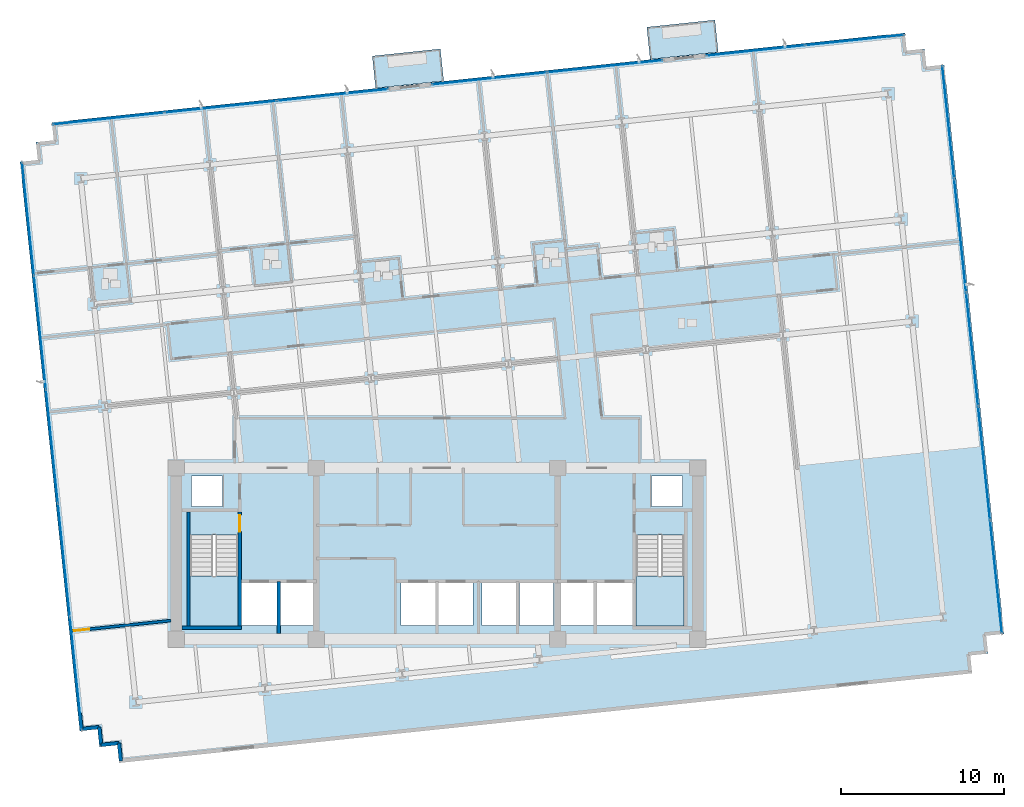
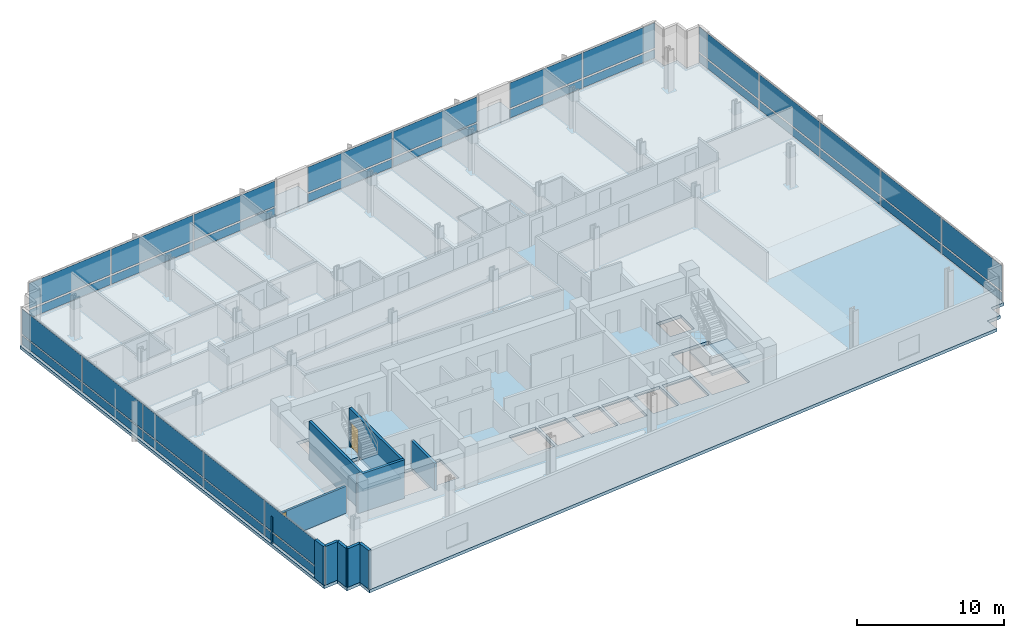
# One storey, part 9 of 18: 34 plates, 10 walls, 5 slabs, 2 doors, 2 openings, 7 elements without a shape of their own.
"""IFC4 building model written with IfcOpenShell, lengths in metres."""

from ifc_helpers import new_model, si_unit, direction, frame, frame_2d, origin, origin_2d, place, context, subcontext, project, spatial, polyline, rectangle, outline, extrude, material, layer, layer_set, type_object, element, fill, aggregate, save


model = new_model("IFC4")

# Units and contexts
model_context = context("Model", 3, precision=1e-05, world=origin(), true_north=direction((0.0, 1.0)))
body_context = subcontext(model_context, "Body", "Model", "MODEL_VIEW")
ifc_project = project(units=[si_unit("LENGTHUNIT", "METRE"), si_unit("AREAUNIT", "SQUARE_METRE"), si_unit("VOLUMEUNIT", "CUBIC_METRE"), si_unit("PLANEANGLEUNIT", "RADIAN"), si_unit("MASSUNIT", "GRAM", prefix="KILO")], contexts=[model_context])

# Site, building, storey
site_placement = place(None, origin())
site = spatial("IfcSite", under=ifc_project, at=site_placement, CompositionType="ELEMENT")
building_placement = place(site_placement, origin())
building = spatial("IfcBuilding", under=site, at=building_placement, Name="Solmavex Isthmus Hotel", CompositionType="ELEMENT")
storey_placement = place(building_placement, frame((0.0, 0.0, 120.14990234375)))
storey = spatial("IfcBuildingStorey", under=building, at=storey_placement, Name="L32", CompositionType="ELEMENT", Elevation=120.14990234375)

# Curtain wall, plates
ifc_material_1 = material(Name="Aluminium alloy 6063-T6", Category="aluminium")
curtain_wall_type = type_object("IfcCurtainWallType", Name="CW-SYS-03", PredefinedType="NOTDEFINED", material=ifc_material_1)
curtain_wall_1_placement = place(storey_placement, origin())
curtain_wall_1 = element("IfcCurtainWall", 1, at=curtain_wall_1_placement, inside=storey, type_object=curtain_wall_type, Name="Stick Curtain Wall CWL-L32-N1", PredefinedType="NOTDEFINED")
ifc_material_2 = material(Name="Clear low-E laminated glass", Category="glass")
ifc_layer_1 = layer(ifc_material_2, 0.030029296875)
ifc_layer_set_1 = layer_set([ifc_layer_1], Name="Clear low-E laminated glass")
plate_type = type_object("IfcPlateType", Name="CW-SYS-03-PNL", PredefinedType="CURTAIN_PANEL", material=ifc_layer_set_1)
plate_1_placement = place(storey_placement, frame((-20.148193359375, 18.93701171875, 0.14013671875), z_axis=(0.0, 0.0, 1.0), x_axis=(0.994521910366, 0.10452832057, 0.0)))
plate_1 = element("IfcPlate", 2, at=plate_1_placement, type_object=plate_type, Name="CW-03 panel 1.1", PredefinedType="CURTAIN_PANEL", context=body_context, shape_type="SweptSolid", body=[
    extrude(rectangle(XDim=6.8173828125, YDim=0.030029296875, at=origin_2d()), origin(), (0.0, 0.0, 1.0), 0.68994140625),
])
plate_2_placement = place(storey_placement, frame((-20.148193359375, 18.93701171875, 0.969970703125), z_axis=(0.0, 0.0, 1.0), x_axis=(0.994521910366, 0.10452832057, 0.0)))
plate_2 = element("IfcPlate", 3, at=plate_2_placement, type_object=plate_type, Name="CW-03 panel 1.2", PredefinedType="CURTAIN_PANEL", context=body_context, shape_type="SweptSolid", body=[
    extrude(rectangle(XDim=6.8173828125, YDim=0.030029296875, at=origin_2d()), origin(), (0.0, 0.0, 1.0), 2.080078125),
])
plate_3_placement = place(storey_placement, frame((-13.28125, 19.65869140625, 0.14013671875), z_axis=(0.0, 0.0, 1.0), x_axis=(0.994521910366, 0.10452832057, 0.0)))
plate_3 = element("IfcPlate", 4, at=plate_3_placement, type_object=plate_type, Name="CW-03 panel 2.1", PredefinedType="CURTAIN_PANEL", context=body_context, shape_type="SweptSolid", body=[
    extrude(rectangle(XDim=6.852294921875, YDim=0.030029296875, at=origin_2d()), origin(), (0.0, 0.0, 1.0), 0.68994140625),
])
plate_4_placement = place(storey_placement, frame((-13.28125, 19.65869140625, 0.969970703125), z_axis=(0.0, 0.0, 1.0), x_axis=(0.994521910366, 0.10452832057, 0.0)))
plate_4 = element("IfcPlate", 5, at=plate_4_placement, type_object=plate_type, Name="CW-03 panel 2.2", PredefinedType="CURTAIN_PANEL", context=body_context, shape_type="SweptSolid", body=[
    extrude(rectangle(XDim=6.852294921875, YDim=0.030029296875, at=origin_2d()), origin(), (0.0, 0.0, 1.0), 2.080078125),
])
plate_5_placement = place(storey_placement, frame((-6.414306640625, 20.38037109375, 0.14013671875), z_axis=(0.0, 0.0, 1.0), x_axis=(0.994521910366, 0.10452832057, 0.0)))
plate_5 = element("IfcPlate", 6, at=plate_5_placement, type_object=plate_type, Name="CW-03 panel 3.1", PredefinedType="CURTAIN_PANEL", context=body_context, shape_type="SweptSolid", body=[
    extrude(rectangle(XDim=6.8173828125, YDim=0.030029296875, at=origin_2d()), origin(), (0.0, 0.0, 1.0), 0.68994140625),
])
plate_6_placement = place(storey_placement, frame((-6.414306640625, 20.38037109375, 0.969970703125), z_axis=(0.0, 0.0, 1.0), x_axis=(0.994521910366, 0.10452832057, 0.0)))
plate_6 = element("IfcPlate", 7, at=plate_6_placement, type_object=plate_type, Name="CW-03 panel 3.2", PredefinedType="CURTAIN_PANEL", context=body_context, shape_type="SweptSolid", body=[
    extrude(rectangle(XDim=6.8173828125, YDim=0.030029296875, at=origin_2d()), origin(), (0.0, 0.0, 1.0), 2.080078125),
])
aggregate(curtain_wall_1, [plate_1, plate_2, plate_3, plate_4, plate_5, plate_6])

curtain_wall_2_placement = place(storey_placement, origin())
curtain_wall_2 = element("IfcCurtainWall", 8, at=curtain_wall_2_placement, inside=storey, type_object=curtain_wall_type, Name="Stick Curtain Wall CWL-L32-N2", PredefinedType="NOTDEFINED")
plate_7_placement = place(storey_placement, frame((3.2119140625, 21.392333984375, 0.14013671875), z_axis=(0.0, 0.0, 1.0), x_axis=(0.994521838546, 0.10452900389, 0.0)))
plate_7 = element("IfcPlate", 9, at=plate_7_placement, type_object=plate_type, Name="CW-03 panel 1.1", PredefinedType="CURTAIN_PANEL", context=body_context, shape_type="SweptSolid", body=[
    extrude(rectangle(XDim=7.06103515625, YDim=0.030029296875, at=origin_2d()), origin(), (0.0, 0.0, 1.0), 0.68994140625),
])
plate_8_placement = place(storey_placement, frame((3.2119140625, 21.392333984375, 0.969970703125), z_axis=(0.0, 0.0, 1.0), x_axis=(0.994521838546, 0.10452900389, 0.0)))
plate_8 = element("IfcPlate", 10, at=plate_8_placement, type_object=plate_type, Name="CW-03 panel 1.2", PredefinedType="CURTAIN_PANEL", context=body_context, shape_type="SweptSolid", body=[
    extrude(rectangle(XDim=7.06103515625, YDim=0.030029296875, at=origin_2d()), origin(), (0.0, 0.0, 1.0), 2.080078125),
])
plate_9_placement = place(storey_placement, frame((10.303955078125, 22.1376953125, 0.14013671875), z_axis=(0.0, 0.0, 1.0), x_axis=(0.994521838546, 0.10452900389, 0.0)))
plate_9 = element("IfcPlate", 11, at=plate_9_placement, type_object=plate_type, Name="CW-03 panel 2.1", PredefinedType="CURTAIN_PANEL", context=body_context, shape_type="SweptSolid", body=[
    extrude(rectangle(XDim=7.06103515625, YDim=0.030029296875, at=origin_2d()), origin(), (0.0, 0.0, 1.0), 0.68994140625),
])
plate_10_placement = place(storey_placement, frame((10.303955078125, 22.1376953125, 0.969970703125), z_axis=(0.0, 0.0, 1.0), x_axis=(0.994521838546, 0.10452900389, 0.0)))
plate_10 = element("IfcPlate", 12, at=plate_10_placement, type_object=plate_type, Name="CW-03 panel 2.2", PredefinedType="CURTAIN_PANEL", context=body_context, shape_type="SweptSolid", body=[
    extrude(rectangle(XDim=7.06103515625, YDim=0.030029296875, at=origin_2d()), origin(), (0.0, 0.0, 1.0), 2.080078125),
])
aggregate(curtain_wall_2, [plate_7, plate_8, plate_9, plate_10])

curtain_wall_3_placement = place(storey_placement, origin())
curtain_wall_3 = element("IfcCurtainWall", 13, at=curtain_wall_3_placement, inside=storey, type_object=curtain_wall_type, Name="Stick Curtain Wall CWL-L32-N3", PredefinedType="NOTDEFINED")
plate_11_placement = place(storey_placement, frame((19.546142578125, 23.109130859375, 0.14013671875), z_axis=(0.0, 0.0, 1.0), x_axis=(0.994521931062, 0.104528123665, 0.0)))
plate_11 = element("IfcPlate", 14, at=plate_11_placement, type_object=plate_type, Name="CW-03 panel 1.1", PredefinedType="CURTAIN_PANEL", context=body_context, shape_type="SweptSolid", body=[
    extrude(rectangle(XDim=6.04541015625, YDim=0.030029296875, at=origin_2d()), origin(), (0.0, 0.0, 1.0), 0.68994140625),
])
plate_12_placement = place(storey_placement, frame((19.546142578125, 23.109130859375, 0.969970703125), z_axis=(0.0, 0.0, 1.0), x_axis=(0.994521931062, 0.104528123665, 0.0)))
plate_12 = element("IfcPlate", 15, at=plate_12_placement, type_object=plate_type, Name="CW-03 panel 1.2", PredefinedType="CURTAIN_PANEL", context=body_context, shape_type="SweptSolid", body=[
    extrude(rectangle(XDim=6.04541015625, YDim=0.030029296875, at=origin_2d()), origin(), (0.0, 0.0, 1.0), 2.080078125),
])
plate_13_placement = place(storey_placement, frame((25.628173828125, 23.748291015625, 0.14013671875), z_axis=(0.0, 0.0, 1.0), x_axis=(0.994521931062, 0.104528123665, 0.0)))
plate_13 = element("IfcPlate", 16, at=plate_13_placement, type_object=plate_type, Name="CW-03 panel 2.1", PredefinedType="CURTAIN_PANEL", context=body_context, shape_type="SweptSolid", body=[
    extrude(rectangle(XDim=6.04541015625, YDim=0.030029296875, at=origin_2d()), origin(), (0.0, 0.0, 1.0), 0.68994140625),
])
plate_14_placement = place(storey_placement, frame((25.628173828125, 23.748291015625, 0.969970703125), z_axis=(0.0, 0.0, 1.0), x_axis=(0.994521931062, 0.104528123665, 0.0)))
plate_14 = element("IfcPlate", 17, at=plate_14_placement, type_object=plate_type, Name="CW-03 panel 2.2", PredefinedType="CURTAIN_PANEL", context=body_context, shape_type="SweptSolid", body=[
    extrude(rectangle(XDim=6.04541015625, YDim=0.030029296875, at=origin_2d()), origin(), (0.0, 0.0, 1.0), 2.080078125),
])
aggregate(curtain_wall_3, [plate_11, plate_12, plate_13, plate_14])

curtain_wall_4_placement = place(storey_placement, origin())
curtain_wall_4 = element("IfcCurtainWall", 18, at=curtain_wall_4_placement, inside=storey, type_object=curtain_wall_type, Name="Stick Curtain Wall CWL-L32-W1", PredefinedType="NOTDEFINED")
plate_15_placement = place(storey_placement, frame((-22.15869140625, -15.1123046875, 0.14013671875), z_axis=(0.0, 0.0, 1.0), x_axis=(-0.104528485381, 0.994521893044, 0.0)))
plate_15 = element("IfcPlate", 19, at=plate_15_placement, type_object=plate_type, Name="CW-03 panel 1.1", PredefinedType="CURTAIN_PANEL", context=body_context, shape_type="SweptSolid", body=[
    extrude(rectangle(XDim=6.9150390625, YDim=0.030029296875, at=origin_2d()), origin(), (0.0, 0.0, 1.0), 0.68994140625),
])
plate_16_placement = place(storey_placement, frame((-22.15869140625, -15.1123046875, 0.969970703125), z_axis=(0.0, 0.0, 1.0), x_axis=(-0.104528485381, 0.994521893044, 0.0)))
plate_16 = element("IfcPlate", 20, at=plate_16_placement, type_object=plate_type, Name="CW-03 panel 1.2", PredefinedType="CURTAIN_PANEL", context=body_context, shape_type="SweptSolid", body=[
    extrude(rectangle(XDim=6.9150390625, YDim=0.030029296875, at=origin_2d()), origin(), (0.0, 0.0, 1.0), 2.080078125),
])
plate_17_placement = place(storey_placement, frame((-22.890625, -8.14794921875, 0.14013671875), z_axis=(0.0, 0.0, 1.0), x_axis=(-0.104528485381, 0.994521893044, 0.0)))
plate_17 = element("IfcPlate", 21, at=plate_17_placement, type_object=plate_type, Name="CW-03 panel 2.1", PredefinedType="CURTAIN_PANEL", context=body_context, shape_type="SweptSolid", body=[
    extrude(rectangle(XDim=6.949951171875, YDim=0.030029296875, at=origin_2d()), origin(), (0.0, 0.0, 1.0), 0.68994140625),
])
plate_18_placement = place(storey_placement, frame((-22.890625, -8.14794921875, 0.969970703125), z_axis=(0.0, 0.0, 1.0), x_axis=(-0.104528485381, 0.994521893044, 0.0)))
plate_18 = element("IfcPlate", 22, at=plate_18_placement, type_object=plate_type, Name="CW-03 panel 2.2", PredefinedType="CURTAIN_PANEL", context=body_context, shape_type="SweptSolid", body=[
    extrude(rectangle(XDim=6.949951171875, YDim=0.030029296875, at=origin_2d()), origin(), (0.0, 0.0, 1.0), 2.080078125),
])
plate_19_placement = place(storey_placement, frame((-23.62451171875, -1.16650390625, 0.14013671875), z_axis=(0.0, 0.0, 1.0), x_axis=(-0.104528485381, 0.994521893044, 0.0)))
plate_19 = element("IfcPlate", 23, at=plate_19_placement, type_object=plate_type, Name="CW-03 panel 3.1", PredefinedType="CURTAIN_PANEL", context=body_context, shape_type="SweptSolid", body=[
    extrude(rectangle(XDim=6.949951171875, YDim=0.030029296875, at=origin_2d()), origin(), (0.0, 0.0, 1.0), 0.68994140625),
])
plate_20_placement = place(storey_placement, frame((-23.62451171875, -1.16650390625, 0.969970703125), z_axis=(0.0, 0.0, 1.0), x_axis=(-0.104528485381, 0.994521893044, 0.0)))
plate_20 = element("IfcPlate", 24, at=plate_20_placement, type_object=plate_type, Name="CW-03 panel 3.2", PredefinedType="CURTAIN_PANEL", context=body_context, shape_type="SweptSolid", body=[
    extrude(rectangle(XDim=6.949951171875, YDim=0.030029296875, at=origin_2d()), origin(), (0.0, 0.0, 1.0), 2.080078125),
])
plate_21_placement = place(storey_placement, frame((-24.3583984375, 5.81494140625, 0.14013671875), z_axis=(0.0, 0.0, 1.0), x_axis=(-0.104528485381, 0.994521893044, 0.0)))
plate_21 = element("IfcPlate", 25, at=plate_21_placement, type_object=plate_type, Name="CW-03 panel 4.1", PredefinedType="CURTAIN_PANEL", context=body_context, shape_type="SweptSolid", body=[
    extrude(rectangle(XDim=6.949951171875, YDim=0.030029296875, at=origin_2d()), origin(), (0.0, 0.0, 1.0), 0.68994140625),
])
plate_22_placement = place(storey_placement, frame((-24.3583984375, 5.81494140625, 0.969970703125), z_axis=(0.0, 0.0, 1.0), x_axis=(-0.104528485381, 0.994521893044, 0.0)))
plate_22 = element("IfcPlate", 26, at=plate_22_placement, type_object=plate_type, Name="CW-03 panel 4.2", PredefinedType="CURTAIN_PANEL", context=body_context, shape_type="SweptSolid", body=[
    extrude(rectangle(XDim=6.949951171875, YDim=0.030029296875, at=origin_2d()), origin(), (0.0, 0.0, 1.0), 2.080078125),
])
plate_23_placement = place(storey_placement, frame((-25.09033203125, 12.779052734375, 0.14013671875), z_axis=(0.0, 0.0, 1.0), x_axis=(-0.104528485381, 0.994521893044, 0.0)))
plate_23 = element("IfcPlate", 27, at=plate_23_placement, type_object=plate_type, Name="CW-03 panel 5.1", PredefinedType="CURTAIN_PANEL", context=body_context, shape_type="SweptSolid", body=[
    extrude(rectangle(XDim=6.9150390625, YDim=0.030029296875, at=origin_2d()), origin(), (0.0, 0.0, 1.0), 0.68994140625),
])
plate_24_placement = place(storey_placement, frame((-25.09033203125, 12.779052734375, 0.969970703125), z_axis=(0.0, 0.0, 1.0), x_axis=(-0.104528485381, 0.994521893044, 0.0)))
plate_24 = element("IfcPlate", 28, at=plate_24_placement, type_object=plate_type, Name="CW-03 panel 5.2", PredefinedType="CURTAIN_PANEL", context=body_context, shape_type="SweptSolid", body=[
    extrude(rectangle(XDim=6.9150390625, YDim=0.030029296875, at=origin_2d()), origin(), (0.0, 0.0, 1.0), 2.080078125),
])
aggregate(curtain_wall_4, [plate_15, plate_16, plate_17, plate_18, plate_19, plate_20, plate_21, plate_22, plate_23, plate_24])

curtain_wall_5_placement = place(storey_placement, origin())
curtain_wall_5 = element("IfcCurtainWall", 29, at=curtain_wall_5_placement, inside=storey, type_object=curtain_wall_type, Name="Stick Curtain Wall CWL-L32-E1", PredefinedType="NOTDEFINED")
plate_25_placement = place(storey_placement, frame((34.290283203125, -9.17919921875, 0.14013671875), z_axis=(0.0, 0.0, 1.0), x_axis=(-0.104528485381, 0.994521893044, 0.0)))
plate_25 = element("IfcPlate", 30, at=plate_25_placement, type_object=plate_type, Name="CW-03 panel 1.1", PredefinedType="CURTAIN_PANEL", context=body_context, shape_type="SweptSolid", body=[
    extrude(rectangle(XDim=6.9150390625, YDim=0.030029296875, at=origin_2d()), origin(), (0.0, 0.0, 1.0), 0.68994140625),
])
plate_26_placement = place(storey_placement, frame((34.290283203125, -9.17919921875, 0.969970703125), z_axis=(0.0, 0.0, 1.0), x_axis=(-0.104528485381, 0.994521893044, 0.0)))
plate_26 = element("IfcPlate", 31, at=plate_26_placement, type_object=plate_type, Name="CW-03 panel 1.2", PredefinedType="CURTAIN_PANEL", context=body_context, shape_type="SweptSolid", body=[
    extrude(rectangle(XDim=6.9150390625, YDim=0.030029296875, at=origin_2d()), origin(), (0.0, 0.0, 1.0), 2.080078125),
])
plate_27_placement = place(storey_placement, frame((33.558349609375, -2.215087890625, 0.14013671875), z_axis=(0.0, 0.0, 1.0), x_axis=(-0.104528485381, 0.994521893044, 0.0)))
plate_27 = element("IfcPlate", 32, at=plate_27_placement, type_object=plate_type, Name="CW-03 panel 2.1", PredefinedType="CURTAIN_PANEL", context=body_context, shape_type="SweptSolid", body=[
    extrude(rectangle(XDim=6.949951171875, YDim=0.030029296875, at=origin_2d()), origin(), (0.0, 0.0, 1.0), 0.68994140625),
])
plate_28_placement = place(storey_placement, frame((33.558349609375, -2.215087890625, 0.969970703125), z_axis=(0.0, 0.0, 1.0), x_axis=(-0.104528485381, 0.994521893044, 0.0)))
plate_28 = element("IfcPlate", 33, at=plate_28_placement, type_object=plate_type, Name="CW-03 panel 2.2", PredefinedType="CURTAIN_PANEL", context=body_context, shape_type="SweptSolid", body=[
    extrude(rectangle(XDim=6.949951171875, YDim=0.030029296875, at=origin_2d()), origin(), (0.0, 0.0, 1.0), 2.080078125),
])
plate_29_placement = place(storey_placement, frame((32.824462890625, 4.7666015625, 0.14013671875), z_axis=(0.0, 0.0, 1.0), x_axis=(-0.104528485381, 0.994521893044, 0.0)))
plate_29 = element("IfcPlate", 34, at=plate_29_placement, type_object=plate_type, Name="CW-03 panel 3.1", PredefinedType="CURTAIN_PANEL", context=body_context, shape_type="SweptSolid", body=[
    extrude(rectangle(XDim=6.949951171875, YDim=0.030029296875, at=origin_2d()), origin(), (0.0, 0.0, 1.0), 0.68994140625),
])
plate_30_placement = place(storey_placement, frame((32.824462890625, 4.7666015625, 0.969970703125), z_axis=(0.0, 0.0, 1.0), x_axis=(-0.104528485381, 0.994521893044, 0.0)))
plate_30 = element("IfcPlate", 35, at=plate_30_placement, type_object=plate_type, Name="CW-03 panel 3.2", PredefinedType="CURTAIN_PANEL", context=body_context, shape_type="SweptSolid", body=[
    extrude(rectangle(XDim=6.949951171875, YDim=0.030029296875, at=origin_2d()), origin(), (0.0, 0.0, 1.0), 2.080078125),
])
plate_31_placement = place(storey_placement, frame((32.0908203125, 11.748046875, 0.14013671875), z_axis=(0.0, 0.0, 1.0), x_axis=(-0.104528485381, 0.994521893044, 0.0)))
plate_31 = element("IfcPlate", 36, at=plate_31_placement, type_object=plate_type, Name="CW-03 panel 4.1", PredefinedType="CURTAIN_PANEL", context=body_context, shape_type="SweptSolid", body=[
    extrude(rectangle(XDim=6.949951171875, YDim=0.030029296875, at=origin_2d()), origin(), (0.0, 0.0, 1.0), 0.68994140625),
])
plate_32_placement = place(storey_placement, frame((32.0908203125, 11.748046875, 0.969970703125), z_axis=(0.0, 0.0, 1.0), x_axis=(-0.104528485381, 0.994521893044, 0.0)))
plate_32 = element("IfcPlate", 37, at=plate_32_placement, type_object=plate_type, Name="CW-03 panel 4.2", PredefinedType="CURTAIN_PANEL", context=body_context, shape_type="SweptSolid", body=[
    extrude(rectangle(XDim=6.949951171875, YDim=0.030029296875, at=origin_2d()), origin(), (0.0, 0.0, 1.0), 2.080078125),
])
plate_33_placement = place(storey_placement, frame((31.35888671875, 18.712158203125, 0.14013671875), z_axis=(0.0, 0.0, 1.0), x_axis=(-0.104528485381, 0.994521893044, 0.0)))
plate_33 = element("IfcPlate", 38, at=plate_33_placement, type_object=plate_type, Name="CW-03 panel 5.1", PredefinedType="CURTAIN_PANEL", context=body_context, shape_type="SweptSolid", body=[
    extrude(rectangle(XDim=6.9150390625, YDim=0.030029296875, at=origin_2d()), origin(), (0.0, 0.0, 1.0), 0.68994140625),
])
plate_34_placement = place(storey_placement, frame((31.35888671875, 18.712158203125, 0.969970703125), z_axis=(0.0, 0.0, 1.0), x_axis=(-0.104528485381, 0.994521893044, 0.0)))
plate_34 = element("IfcPlate", 39, at=plate_34_placement, type_object=plate_type, Name="CW-03 panel 5.2", PredefinedType="CURTAIN_PANEL", context=body_context, shape_type="SweptSolid", body=[
    extrude(rectangle(XDim=6.9150390625, YDim=0.030029296875, at=origin_2d()), origin(), (0.0, 0.0, 1.0), 2.080078125),
])
aggregate(curtain_wall_5, [plate_25, plate_26, plate_27, plate_28, plate_29, plate_30, plate_31, plate_32, plate_33, plate_34])

# Slabs
ifc_material_3 = material(Name="Concrete C40/50", Category="concrete")
ifc_layer_2 = layer(ifc_material_3, 0.239990234375)
ifc_layer_set_2 = layer_set([ifc_layer_2], Name="Concrete C40/50")
slab_type_1 = type_object("IfcSlabType", Name="SLAB-BALC-240", PredefinedType="FLOOR", material=ifc_layer_set_2)
slab_1_placement = place(storey_placement, frame((0.0, 0.0, -0.239990234375)))
element("IfcSlab", 40, at=slab_1_placement, inside=storey, type_object=slab_type_1, Name="Tree-Planter Balcony Slab L32-B1", PredefinedType="FLOOR", context=body_context, shape_type="SweptSolid", body=[
    extrude(outline(polyline([(-3.764404296875, 20.794677734375), (0.41259765625, 21.23388671875), (0.205078125, 23.2080078125), (-3.9716796875, 22.768798828125), (-3.764404296875, 20.794677734375)])), origin(), (0.0, 0.0, 1.0), 0.239990234375),
])
slab_2_placement = place(storey_placement, frame((0.0, 0.0, -0.239990234375)))
element("IfcSlab", 41, at=slab_2_placement, inside=storey, type_object=slab_type_1, Name="Tree-Planter Balcony Slab L32-B2", PredefinedType="FLOOR", context=body_context, shape_type="SweptSolid", body=[
    extrude(outline(polyline([(13.074951171875, 22.564697265625), (17.251953125, 23.003662109375), (17.04443359375, 24.977783203125), (12.867431640625, 24.538818359375), (13.074951171875, 22.564697265625)])), origin(), (0.0, 0.0, 1.0), 0.239990234375),
])
ifc_layer_3 = layer(ifc_material_3, 0.260009765625)
ifc_layer_set_3 = layer_set([ifc_layer_3], Name="Concrete C40/50")
slab_type_2 = type_object("IfcSlabType", Name="SLAB-TYP-260", PredefinedType="FLOOR", material=ifc_layer_set_3)
slab_3_placement = place(storey_placement, frame((0.0, 0.0, -0.260009765625)))
element("IfcSlab", 42, at=slab_3_placement, inside=storey, type_object=slab_type_2, Name="Tower Structural Floor Slab L32", PredefinedType="FLOOR", context=body_context, shape_type="SweptSolid", body=[
    extrude(outline(polyline([(-18.3974609375, -20.475830078125), (31.726318359375, -15.207763671875), (32.8203125, -15.0927734375), (32.705322265625, -13.998779296875), (33.79931640625, -13.8837890625), (33.684326171875, -12.789794921875), (34.7783203125, -12.6748046875), (34.663330078125, -11.580810546875), (31.224365234375, 21.138916015625), (31.109375, 22.23291015625), (30.015380859375, 22.117919921875), (29.900390625, 23.2119140625), (28.806396484375, 23.096923828125), (28.69140625, 24.19091796875), (27.597412109375, 24.075927734375), (-22.5263671875, 18.8076171875), (-23.620361328125, 18.692626953125), (-23.50537109375, 17.5986328125), (-24.599365234375, 17.483642578125), (-24.484375, 16.389892578125), (-25.578369140625, 16.27490234375), (-25.46337890625, 15.180908203125), (-22.0244140625, -17.5390625), (-21.909423828125, -18.6328125), (-20.8154296875, -18.517822265625), (-20.700439453125, -19.61181640625), (-19.6064453125, -19.496826171875), (-19.491455078125, -20.5908203125), (-18.3974609375, -20.475830078125)]), holes=[polyline([(-15.14990234375, -6.617919921875), (-15.14990234375, -12.199951171875), (-12.199951171875, -12.199951171875), (-12.199951171875, -6.617919921875), (-15.14990234375, -6.617919921875)]), polyline([(12.199951171875, -6.617919921875), (12.199951171875, -12.199951171875), (15.14990234375, -12.199951171875), (15.14990234375, -6.617919921875), (12.199951171875, -6.617919921875)]), polyline([(-12.0, -12.14990234375), (-9.800048828125, -12.14990234375), (-9.800048828125, -9.550048828125), (-12.0, -9.550048828125), (-12.0, -12.14990234375)]), polyline([(9.800048828125, -12.14990234375), (12.0, -12.14990234375), (12.0, -9.550048828125), (9.800048828125, -9.550048828125), (9.800048828125, -12.14990234375)]), polyline([(-9.60009765625, -12.14990234375), (-7.60009765625, -12.14990234375), (-7.60009765625, -9.550048828125), (-9.60009765625, -9.550048828125), (-9.60009765625, -12.14990234375)]), polyline([(7.60009765625, -12.14990234375), (9.60009765625, -12.14990234375), (9.60009765625, -9.550048828125), (7.60009765625, -9.550048828125), (7.60009765625, -12.14990234375)]), polyline([(-2.199951171875, -12.14990234375), (-0.10009765625, -12.14990234375), (-0.10009765625, -9.550048828125), (-2.199951171875, -9.550048828125), (-2.199951171875, -12.14990234375)]), polyline([(0.10009765625, -12.14990234375), (2.199951171875, -12.14990234375), (2.199951171875, -9.550048828125), (0.10009765625, -9.550048828125), (0.10009765625, -12.14990234375)]), polyline([(2.75, -12.14990234375), (4.85009765625, -12.14990234375), (4.85009765625, -9.550048828125), (2.75, -9.550048828125), (2.75, -12.14990234375)]), polyline([(5.050048828125, -12.14990234375), (7.14990234375, -12.14990234375), (7.14990234375, -9.550048828125), (5.050048828125, -9.550048828125), (5.050048828125, -12.14990234375)]), polyline([(-15.050048828125, -4.85009765625), (-13.14990234375, -4.85009765625), (-13.14990234375, -3.0), (-15.050048828125, -3.0), (-15.050048828125, -4.85009765625)]), polyline([(13.14990234375, -4.85009765625), (15.050048828125, -4.85009765625), (15.050048828125, -3.0), (13.14990234375, -3.0), (13.14990234375, -4.85009765625)])]), origin(), (0.0, 0.0, 1.0), 0.260009765625),
])

# Stair, slab
stair_type_1 = type_object("IfcStairType", Name="STR-ST-1", PredefinedType="HALF_TURN_STAIR", material=ifc_material_3)
stair_1_placement = place(storey_placement, origin())
stair_1 = element("IfcStair", 43, at=stair_1_placement, inside=storey, type_object=stair_type_1, Name="L32 Protected Exit Stair ST-1", PredefinedType="HALF_TURN_STAIR")
ifc_layer_4 = layer(ifc_material_3, 0.219970703125)
ifc_layer_set_4 = layer_set([ifc_layer_4], Name="Concrete C40/50")
slab_type_3 = type_object("IfcSlabType", Name="SLD-ST-1", PredefinedType="LANDING", material=ifc_layer_set_4)
slab_4_placement = place(storey_placement, frame((0.0, 0.0, 1.525146484375)))
slab_4 = element("IfcSlab", 44, at=slab_4_placement, type_object=slab_type_3, Name="ST-1 landing 1", PredefinedType="LANDING", context=body_context, shape_type="SweptSolid", body=[
    extrude(outline(polyline([(-15.14990234375, -9.1201171875), (-15.14990234375, -12.199951171875), (-12.199951171875, -12.199951171875), (-12.199951171875, -9.1201171875), (-15.14990234375, -9.1201171875)])), origin(), (0.0, 0.0, 1.0), 0.199951171875),
])
aggregate(stair_1, [slab_4])

stair_type_2 = type_object("IfcStairType", Name="STR-ST-2", PredefinedType="HALF_TURN_STAIR", material=ifc_material_3)
stair_2_placement = place(storey_placement, origin())
stair_2 = element("IfcStair", 45, at=stair_2_placement, inside=storey, type_object=stair_type_2, Name="L32 Protected Exit Stair ST-2", PredefinedType="HALF_TURN_STAIR")
ifc_layer_5 = layer(ifc_material_3, 0.219970703125)
ifc_layer_set_5 = layer_set([ifc_layer_5], Name="Concrete C40/50")
slab_type_4 = type_object("IfcSlabType", Name="SLD-ST-2", PredefinedType="LANDING", material=ifc_layer_set_5)
slab_5_placement = place(storey_placement, frame((0.0, 0.0, 1.525146484375)))
slab_5 = element("IfcSlab", 46, at=slab_5_placement, type_object=slab_type_4, Name="ST-2 landing 1", PredefinedType="LANDING", context=body_context, shape_type="SweptSolid", body=[
    extrude(outline(polyline([(12.199951171875, -9.1201171875), (12.199951171875, -12.199951171875), (15.14990234375, -12.199951171875), (15.14990234375, -9.1201171875), (12.199951171875, -9.1201171875)])), origin(), (0.0, 0.0, 1.0), 0.199951171875),
])
aggregate(stair_2, [slab_5])

# Walls
ifc_material_4 = material(Name="Precast Concrete C40/50", Category="concrete")
ifc_layer_6 = layer(ifc_material_4, 0.25)
ifc_layer_set_6 = layer_set([ifc_layer_6], Name="Precast Concrete C40/50")
wall_type_1 = type_object("IfcWallType", Name="EW-TWR-250", PredefinedType="STANDARD", material=ifc_layer_set_6)
for number, where, z_axis, x_axis, name in (
    (47, (-19.3935546875, -20.469970703125, 0.0), (0.0, 0.0, 1.0), (-0.104534592565, 0.994521251134, 0.0), "Serrated Corner Facade Panel L32-01"),
    (48, (-19.508544921875, -19.3759765625, 0.0), (0.0, 0.0, 1.0), (-0.994521251134, -0.104534592565, 0.0), "Serrated Corner Facade Panel L32-02"),
    (49, (-20.6025390625, -19.490966796875, 0.0), (0.0, 0.0, 1.0), (-0.104534592565, 0.994521251134, 0.0), "Serrated Corner Facade Panel L32-03"),
    (50, (-20.717529296875, -18.39697265625, 0.0), (0.0, 0.0, 1.0), (-0.994521251134, -0.104534592565, 0.0), "Serrated Corner Facade Panel L32-04"),
):
    element("IfcWall", number, at=place(storey_placement, frame(where, z_axis=z_axis, x_axis=x_axis)), inside=storey, type_object=wall_type_1, Name=name, PredefinedType="STANDARD", context=body_context, shape_type="SweptSolid", body=[
        extrude(rectangle(XDim=1.10009765625, YDim=0.219970703125, at=frame_2d((0.550048828125, 0.0))), origin(), (0.0, 0.0, 1.0), 3.190185546875),
    ])
wall_1_placement = place(storey_placement, frame((-21.8115234375, -18.511962890625, 0.0), z_axis=(0.0, 0.0, 1.0), x_axis=(-0.104556418955, 0.99451895671, 0.0)))
element("IfcWall", 51, at=wall_1_placement, inside=storey, type_object=wall_type_1, Name="Serrated Corner Facade Panel L32-05", PredefinedType="STANDARD", context=body_context, shape_type="SweptSolid", body=[
    extrude(rectangle(XDim=0.989990234375, YDim=0.219970703125, at=frame_2d((0.4951171875, 0.0))), origin(), (0.0, 0.0, 1.0), 3.190185546875),
])

# Wall, opening, door
ifc_material_5 = material(Name="Gypsum plasterboard lining", Category="gypsum")
ifc_layer_7 = layer(ifc_material_5, 0.159912109375)
ifc_layer_set_7 = layer_set([ifc_layer_7], Name="Gypsum plasterboard lining")
wall_type_2 = type_object("IfcWallType", Name="IW-COMP-160", PredefinedType="PARTITIONING", material=ifc_layer_set_7)
wall_2_placement = place(storey_placement, frame((-16.310302734375, -11.860595703125, 0.0), z_axis=(0.0, 0.0, 1.0), x_axis=(-0.994521633233, -0.10453095729, 0.0)))
wall_2 = element("IfcWall", 52, at=wall_2_placement, inside=storey, type_object=wall_type_2, Name="Interior Partition Wall W-L32-P079", PredefinedType="PARTITIONING", context=body_context, shape_type="SweptSolid", body=[
    extrude(rectangle(XDim=6.1962890625, YDim=0.159912109375, at=frame_2d((3.09814453125, 0.0))), origin(), (0.0, 0.0, 1.0), 2.22509765625),
])
opening_1_placement = place(wall_2_placement, frame((5.036376953125, 0.0, 0.0)))
opening_1 = element("IfcOpeningElement", 53, at=opening_1_placement, cuts=wall_2, Name="Opening ID-C095", PredefinedType="OPENING", context=body_context, shape_type="SweptSolid", body=[
    extrude(rectangle(XDim=0.949951171875, YDim=2.14990234375, at=frame_2d((0.47509765625, 1.074951171875))), frame((0.0, 0.08984375, 0.0), z_axis=(0.0, -1.0, 0.0), x_axis=(1.0, 0.0, 0.0)), (0.0, 0.0, 1.0), 0.179931640625),
])
ifc_material_6 = material(Name="Hardwood timber", Category="wood")
door_type_1 = type_object("IfcDoorType", Name="IDR-FD60-0950", OperationType="NOTDEFINED", PredefinedType="DOOR", material=ifc_material_6)
door_1_placement = place(opening_1_placement, frame((0.949951171875, 0.0, 0.0), z_axis=(0.0, 0.0, 1.0), x_axis=(-1.0, 0.0, 0.0)))
door_1 = element("IfcDoor", 54, at=door_1_placement, inside=storey, type_object=door_type_1, Name="Corporate Briefing Office Door L32-23", OperationType="SINGLE_SWING_LEFT", OverallHeight=2.14990234375, OverallWidth=0.949951171875, PredefinedType="DOOR", context=body_context, shape_type="SweptSolid", body=[
    extrude(rectangle(XDim=0.949951171875, YDim=2.14990234375, at=frame_2d((0.47509765625, 1.074951171875))), frame((0.0, 0.02490234375, 0.0), z_axis=(0.0, -1.0, 0.0), x_axis=(1.0, 0.0, 0.0)), (0.0, 0.0, 1.0), 0.050048828125),
])
fill(opening_1, door_1)

# Walls
ifc_layer_8 = layer(ifc_material_3, 0.199951171875)
ifc_layer_set_8 = layer_set([ifc_layer_8], Name="Concrete C40/50")
wall_type_3 = type_object("IfcWallType", Name="IW-SHAFT-200", PredefinedType="PARTITIONING", material=ifc_layer_set_8)
wall_3_placement = place(storey_placement, frame((-9.699951171875, -12.64990234375, 0.0), z_axis=(0.0, 0.0, 1.0), x_axis=(0.0, 1.0, 0.0)))
element("IfcWall", 55, at=wall_3_placement, inside=storey, type_object=wall_type_3, Name="Interior Partition Wall W-L32-FFLW-M", PredefinedType="PARTITIONING", context=body_context, shape_type="SweptSolid", body=[
    extrude(rectangle(XDim=3.199951171875, YDim=0.199951171875, at=frame_2d((1.60009765625, 0.0))), origin(), (0.0, 0.0, 1.0), 2.22509765625),
])
ifc_layer_9 = layer(ifc_material_3, 0.199951171875)
ifc_layer_set_9 = layer_set([ifc_layer_9], Name="Concrete C40/50")
wall_type_4 = type_object("IfcWallType", Name="WALL-SW-200", PredefinedType="SOLIDWALL", material=ifc_layer_set_9)
wall_4_placement = place(storey_placement, frame((-15.64990234375, -12.300048828125, 0.0), z_axis=(0.0, 0.0, 1.0), x_axis=(1.0, 0.0, 0.0)))
element("IfcWall", 56, at=wall_4_placement, inside=storey, type_object=wall_type_4, Name="Stairwell Structural Wall SW-L32-ST1-S", PredefinedType="SOLIDWALL", context=body_context, shape_type="SweptSolid", body=[
    extrude(rectangle(XDim=3.64990234375, YDim=0.199951171875, at=frame_2d((1.824951171875, 0.0))), origin(), (0.0, 0.0, 1.0), 3.190185546875),
])
wall_5_placement = place(storey_placement, frame((-15.25, -12.199951171875, 0.0), z_axis=(0.0, 0.0, 1.0), x_axis=(0.0, 1.0, 0.0)))
element("IfcWall", 57, at=wall_5_placement, inside=storey, type_object=wall_type_4, Name="Stairwell Structural Wall SW-L32-ST1-W", PredefinedType="SOLIDWALL", context=body_context, shape_type="SweptSolid", body=[
    extrude(rectangle(XDim=7.0, YDim=0.199951171875, at=frame_2d((3.5, 0.0))), origin(), (0.0, 0.0, 1.0), 3.190185546875),
])

# Wall, opening, door
wall_6_placement = place(storey_placement, frame((-12.10009765625, -12.199951171875, 0.0), z_axis=(0.0, 0.0, 1.0), x_axis=(0.0, 1.0, 0.0)))
wall_6 = element("IfcWall", 58, at=wall_6_placement, inside=storey, type_object=wall_type_4, Name="Stairwell Structural Wall SW-L32-ST1-E", PredefinedType="SOLIDWALL", context=body_context, shape_type="SweptSolid", body=[
    extrude(rectangle(XDim=7.0, YDim=0.199951171875, at=frame_2d((3.5, 0.0))), origin(), (0.0, 0.0, 1.0), 3.190185546875),
])
opening_2_placement = place(wall_6_placement, frame((5.800048828125, 0.0, 0.0)))
opening_2 = element("IfcOpeningElement", 59, at=opening_2_placement, cuts=wall_6, Name="Opening ID-F100", PredefinedType="OPENING", context=body_context, shape_type="SweptSolid", body=[
    extrude(rectangle(XDim=1.0, YDim=2.10009765625, at=frame_2d((0.5, 1.050048828125))), frame((0.0, 0.10986328125, 0.0), z_axis=(0.0, -1.0, 0.0), x_axis=(1.0, 0.0, 0.0)), (0.0, 0.0, 1.0), 0.219970703125),
])
ifc_material_7 = material(Name="Steel ASTM A500 Grade C", Category="steel")
door_type_2 = type_object("IfcDoorType", Name="IDR-FD90-1000", OperationType="NOTDEFINED", PredefinedType="DOOR", material=ifc_material_7)
door_2_placement = place(opening_2_placement, frame((1.0, 0.0, 0.0), z_axis=(0.0, 0.0, 1.0), x_axis=(-1.0, 0.0, 0.0)))
door_2 = element("IfcDoor", 60, at=door_2_placement, inside=storey, type_object=door_type_2, Name="Stair ST-1 Fire Door L32", OperationType="SINGLE_SWING_LEFT", OverallHeight=2.10009765625, OverallWidth=1.0, PredefinedType="DOOR", context=body_context, shape_type="SweptSolid", body=[
    extrude(rectangle(XDim=1.0, YDim=2.10009765625, at=frame_2d((0.5, 1.050048828125))), frame((0.0, 0.02490234375, 0.0), z_axis=(0.0, -1.0, 0.0), x_axis=(1.0, 0.0, 0.0)), (0.0, 0.0, 1.0), 0.050048828125),
])
fill(opening_2, door_2)

save(model, "model.ifc")
